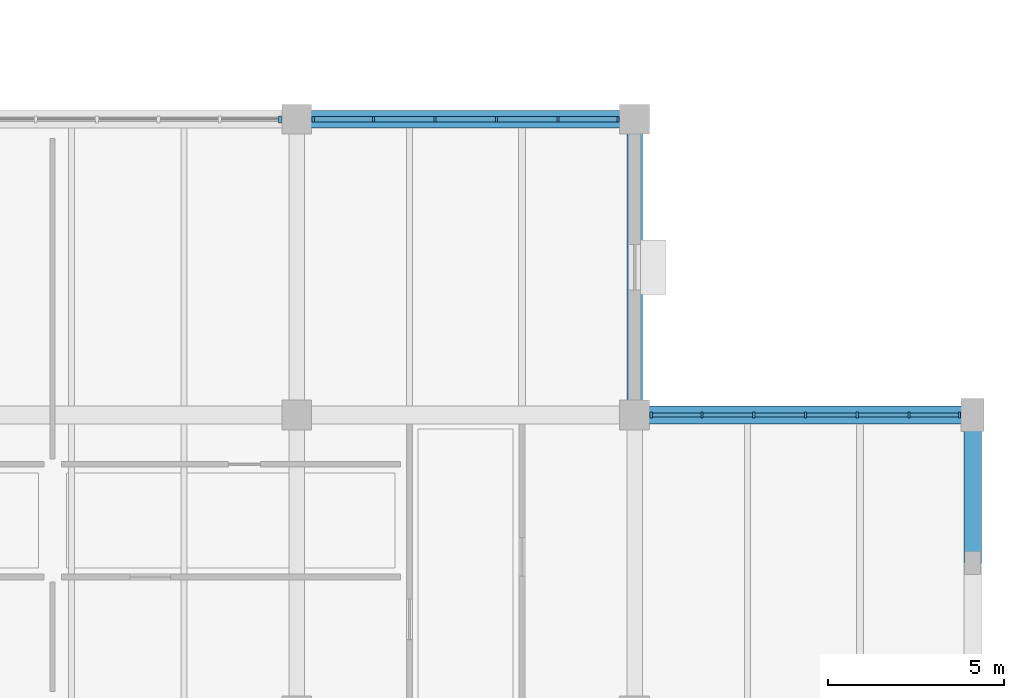
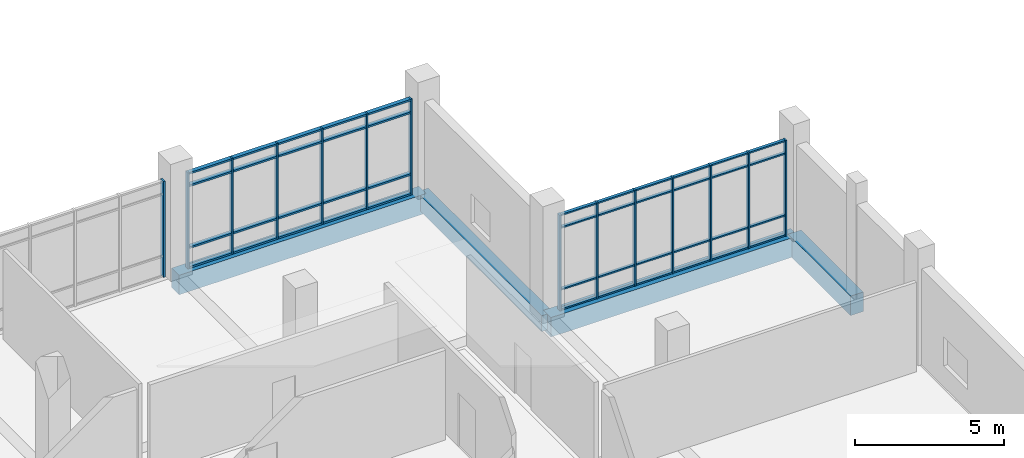
# One storey, part 74 of 152: 58 members, 4 beams, 3 elements without a shape of their own.
"""IFC4 building model written with IfcOpenShell, lengths in metres."""

from ifc_helpers import new_model, si_unit, direction, frame, origin, origin_2d, place, context, subcontext, project, spatial, rectangle, extrude, material, material_profile, profile_set, type_object, element, aggregate, save


model = new_model("IFC4")

# Units and contexts
model_context = context("Model", 3, precision=1e-05, world=origin(), true_north=direction((0.0, 1.0)))
body_context = subcontext(model_context, "Body", "Model", "MODEL_VIEW")
ifc_project = project(units=[si_unit("LENGTHUNIT", "METRE"), si_unit("AREAUNIT", "SQUARE_METRE"), si_unit("VOLUMEUNIT", "CUBIC_METRE"), si_unit("PLANEANGLEUNIT", "RADIAN"), si_unit("MASSUNIT", "GRAM", prefix="KILO")], contexts=[model_context])

# Site, building, storey
site_placement = place(None, origin())
site = spatial("IfcSite", under=ifc_project, at=site_placement, CompositionType="ELEMENT")
building_placement = place(site_placement, origin())
building = spatial("IfcBuilding", under=site, at=building_placement, Name="Oolite Switchyard Hospital", CompositionType="ELEMENT")
storey_placement = place(building_placement, frame((0.0, 0.0, 5.10009765625)))
storey = spatial("IfcBuildingStorey", under=building, at=storey_placement, Name="L01", CompositionType="ELEMENT", Elevation=5.10009765625)

# Beams
ifc_material_1 = material(Name="Concrete C40/50", Category="concrete")
ifc_material_profile_1 = material_profile(ifc_material_1, rectangle(XDim=0.449951171875, YDim=0.64990234375, at=origin_2d()), Name="RCB450X650")
ifc_profile_set_1 = profile_set([ifc_material_profile_1], Name="Concrete C40/50")
beam_type_1 = type_object("IfcBeamType", Name="BM-RC450X650", PredefinedType="BEAM", material=ifc_profile_set_1)
beam_1_placement = place(storey_placement, frame((201.60009765625, 67.199951171875, -0.3251953125), z_axis=(0.0, 1.0, 0.0), x_axis=(-1.0, 0.0, 0.0)))
element("IfcBeam", 1, at=beam_1_placement, inside=storey, type_object=beam_type_1, Name="L01 Y-Girder 542", PredefinedType="BEAM", context=body_context, shape_type="SweptSolid", body=[
    extrude(rectangle(XDim=0.449951171875, YDim=0.64990234375, at=origin_2d()), origin(), (0.0, 0.0, 1.0), 8.400146484375),
])
ifc_material_profile_2 = material_profile(ifc_material_1, rectangle(XDim=0.5, YDim=0.800048828125, at=origin_2d()), Name="RCB500X800")
ifc_profile_set_2 = profile_set([ifc_material_profile_2], Name="Concrete C40/50")
beam_type_2 = type_object("IfcBeamType", Name="BM-RC500X800", PredefinedType="BEAM", material=ifc_profile_set_2)
beam_2_placement = place(storey_placement, frame((201.60009765625, 67.199951171875, -0.400146484375), z_axis=(1.0, 0.0, 0.0), x_axis=(0.0, 1.0, 0.0)))
element("IfcBeam", 2, at=beam_2_placement, inside=storey, type_object=beam_type_2, Name="L01 X-Girder 143", PredefinedType="BEAM", context=body_context, shape_type="SweptSolid", body=[
    extrude(rectangle(XDim=0.5, YDim=0.800048828125, at=origin_2d()), origin(), (0.0, 0.0, 1.0), 9.599853515625),
])
beam_3_placement = place(storey_placement, frame((192.0, 75.60009765625, -0.400146484375), z_axis=(1.0, 0.0, 0.0), x_axis=(0.0, 1.0, 0.0)))
element("IfcBeam", 3, at=beam_3_placement, inside=storey, type_object=beam_type_2, Name="L01 X-Girder 162", PredefinedType="BEAM", context=body_context, shape_type="SweptSolid", body=[
    extrude(rectangle(XDim=0.5, YDim=0.800048828125, at=origin_2d()), origin(), (0.0, 0.0, 1.0), 9.60009765625),
])
beam_4_placement = place(storey_placement, frame((211.199951171875, 63.0, -0.400146484375), z_axis=(0.0, 1.0, 0.0), x_axis=(-1.0, 0.0, 0.0)))
element("IfcBeam", 4, at=beam_4_placement, inside=storey, type_object=beam_type_2, Name="L01 Y-Girder 558", PredefinedType="BEAM", context=body_context, shape_type="SweptSolid", body=[
    extrude(rectangle(XDim=0.5, YDim=0.800048828125, at=origin_2d()), origin(), (0.0, 0.0, 1.0), 4.199951171875),
])

# Curtain wall, members
ifc_material_2 = material(Name="Thermally broken aluminum frame with laminated impact glazing", Category="aluminium")
curtain_wall_type = type_object("IfcCurtainWallType", Name="CW-UNIT-96X48", PredefinedType="USERDEFINED", material=ifc_material_2)
curtain_wall_1_placement = place(storey_placement, origin())
curtain_wall_1 = element("IfcCurtainWall", 5, at=curtain_wall_1_placement, inside=storey, type_object=curtain_wall_type, Name="L01 Unitised Curtain Wall 134", ObjectType="UNITISED", PredefinedType="USERDEFINED")
ifc_material_3 = material(Name="Aluminium 6063-T6", Category="aluminium")
ifc_material_profile_3 = material_profile(ifc_material_3, rectangle(XDim=0.159912109375, YDim=0.06005859375, at=origin_2d()), Name="CWM60X160")
ifc_profile_set_3 = profile_set([ifc_material_profile_3], Name="Aluminium 6063-T6")
member_type_1 = type_object("IfcMemberType", Name="CW-MUL-180", PredefinedType="MULLION", material=ifc_profile_set_3)
member_1_placement = place(storey_placement, frame((202.070068359375, 67.199951171875, 0.0), z_axis=(0.0, 0.0, 1.0), x_axis=(0.0, 1.0, 0.0)))
member_1 = element("IfcMember", 6, at=member_1_placement, type_object=member_type_1, Name="CW-02 mullion 1", PredefinedType="MULLION", context=body_context, shape_type="SweptSolid", body=[
    extrude(rectangle(XDim=0.159912109375, YDim=0.06005859375, at=origin_2d()), origin(), (0.0, 0.0, 1.0), 3.93994140625),
])
member_2_placement = place(storey_placement, frame((203.510009765625, 67.199951171875, 0.0), z_axis=(0.0, 0.0, 1.0), x_axis=(0.0, 1.0, 0.0)))
member_2 = element("IfcMember", 7, at=member_2_placement, type_object=member_type_1, Name="CW-02 mullion 2", PredefinedType="MULLION", context=body_context, shape_type="SweptSolid", body=[
    extrude(rectangle(XDim=0.159912109375, YDim=0.06005859375, at=origin_2d()), origin(), (0.0, 0.0, 1.0), 3.93994140625),
])
member_3_placement = place(storey_placement, frame((204.97998046875, 67.199951171875, 0.0), z_axis=(0.0, 0.0, 1.0), x_axis=(0.0, 1.0, 0.0)))
member_3 = element("IfcMember", 8, at=member_3_placement, type_object=member_type_1, Name="CW-02 mullion 3", PredefinedType="MULLION", context=body_context, shape_type="SweptSolid", body=[
    extrude(rectangle(XDim=0.159912109375, YDim=0.06005859375, at=origin_2d()), origin(), (0.0, 0.0, 1.0), 3.93994140625),
])
member_4_placement = place(storey_placement, frame((206.449951171875, 67.199951171875, 0.0), z_axis=(0.0, 0.0, 1.0), x_axis=(0.0, 1.0, 0.0)))
member_4 = element("IfcMember", 9, at=member_4_placement, type_object=member_type_1, Name="CW-02 mullion 4", PredefinedType="MULLION", context=body_context, shape_type="SweptSolid", body=[
    extrude(rectangle(XDim=0.159912109375, YDim=0.06005859375, at=origin_2d()), origin(), (0.0, 0.0, 1.0), 3.93994140625),
])
member_5_placement = place(storey_placement, frame((207.919921875, 67.199951171875, 0.0), z_axis=(0.0, 0.0, 1.0), x_axis=(0.0, 1.0, 0.0)))
member_5 = element("IfcMember", 10, at=member_5_placement, type_object=member_type_1, Name="CW-02 mullion 5", PredefinedType="MULLION", context=body_context, shape_type="SweptSolid", body=[
    extrude(rectangle(XDim=0.159912109375, YDim=0.06005859375, at=origin_2d()), origin(), (0.0, 0.0, 1.0), 3.93994140625),
])
member_6_placement = place(storey_placement, frame((209.389892578125, 67.199951171875, 0.0), z_axis=(0.0, 0.0, 1.0), x_axis=(0.0, 1.0, 0.0)))
member_6 = element("IfcMember", 11, at=member_6_placement, type_object=member_type_1, Name="CW-02 mullion 6", PredefinedType="MULLION", context=body_context, shape_type="SweptSolid", body=[
    extrude(rectangle(XDim=0.159912109375, YDim=0.06005859375, at=origin_2d()), origin(), (0.0, 0.0, 1.0), 3.93994140625),
])
member_7_placement = place(storey_placement, frame((210.830078125, 67.199951171875, 0.0), z_axis=(0.0, 0.0, 1.0), x_axis=(0.0, 1.0, 0.0)))
member_7 = element("IfcMember", 12, at=member_7_placement, type_object=member_type_1, Name="CW-02 mullion 7", PredefinedType="MULLION", context=body_context, shape_type="SweptSolid", body=[
    extrude(rectangle(XDim=0.159912109375, YDim=0.06005859375, at=origin_2d()), origin(), (0.0, 0.0, 1.0), 3.93994140625),
])

curtain_wall_2_placement = place(storey_placement, origin())
curtain_wall_2 = element("IfcCurtainWall", 13, at=curtain_wall_2_placement, inside=storey, type_object=curtain_wall_type, Name="L01 Unitised Curtain Wall 137", ObjectType="UNITISED", PredefinedType="USERDEFINED")
member_8_placement = place(storey_placement, frame((192.469970703125, 75.60009765625, 0.0), z_axis=(0.0, 0.0, 1.0), x_axis=(0.0, 1.0, 0.0)))
member_8 = element("IfcMember", 14, at=member_8_placement, type_object=member_type_1, Name="CW-02 mullion 1", PredefinedType="MULLION", context=body_context, shape_type="SweptSolid", body=[
    extrude(rectangle(XDim=0.159912109375, YDim=0.06005859375, at=origin_2d()), origin(), (0.0, 0.0, 1.0), 3.93994140625),
])
member_9_placement = place(storey_placement, frame((194.18408203125, 75.60009765625, 0.0), z_axis=(0.0, 0.0, 1.0), x_axis=(0.0, 1.0, 0.0)))
member_9 = element("IfcMember", 15, at=member_9_placement, type_object=member_type_1, Name="CW-02 mullion 2", PredefinedType="MULLION", context=body_context, shape_type="SweptSolid", body=[
    extrude(rectangle(XDim=0.159912109375, YDim=0.06005859375, at=origin_2d()), origin(), (0.0, 0.0, 1.0), 3.93994140625),
])
member_10_placement = place(storey_placement, frame((195.927978515625, 75.60009765625, 0.0), z_axis=(0.0, 0.0, 1.0), x_axis=(0.0, 1.0, 0.0)))
member_10 = element("IfcMember", 16, at=member_10_placement, type_object=member_type_1, Name="CW-02 mullion 3", PredefinedType="MULLION", context=body_context, shape_type="SweptSolid", body=[
    extrude(rectangle(XDim=0.159912109375, YDim=0.06005859375, at=origin_2d()), origin(), (0.0, 0.0, 1.0), 3.93994140625),
])
member_11_placement = place(storey_placement, frame((197.672119140625, 75.60009765625, 0.0), z_axis=(0.0, 0.0, 1.0), x_axis=(0.0, 1.0, 0.0)))
member_11 = element("IfcMember", 17, at=member_11_placement, type_object=member_type_1, Name="CW-02 mullion 4", PredefinedType="MULLION", context=body_context, shape_type="SweptSolid", body=[
    extrude(rectangle(XDim=0.159912109375, YDim=0.06005859375, at=origin_2d()), origin(), (0.0, 0.0, 1.0), 3.93994140625),
])
member_12_placement = place(storey_placement, frame((199.416015625, 75.60009765625, 0.0), z_axis=(0.0, 0.0, 1.0), x_axis=(0.0, 1.0, 0.0)))
member_12 = element("IfcMember", 18, at=member_12_placement, type_object=member_type_1, Name="CW-02 mullion 5", PredefinedType="MULLION", context=body_context, shape_type="SweptSolid", body=[
    extrude(rectangle(XDim=0.159912109375, YDim=0.06005859375, at=origin_2d()), origin(), (0.0, 0.0, 1.0), 3.93994140625),
])
member_13_placement = place(storey_placement, frame((201.1298828125, 75.60009765625, 0.0), z_axis=(0.0, 0.0, 1.0), x_axis=(0.0, 1.0, 0.0)))
member_13 = element("IfcMember", 19, at=member_13_placement, type_object=member_type_1, Name="CW-02 mullion 6", PredefinedType="MULLION", context=body_context, shape_type="SweptSolid", body=[
    extrude(rectangle(XDim=0.159912109375, YDim=0.06005859375, at=origin_2d()), origin(), (0.0, 0.0, 1.0), 3.93994140625),
])

# Curtain wall, member
curtain_wall_3_placement = place(storey_placement, origin())
curtain_wall_3 = element("IfcCurtainWall", 20, at=curtain_wall_3_placement, inside=storey, type_object=curtain_wall_type, Name="L01 Unitised Curtain Wall 136", ObjectType="UNITISED", PredefinedType="USERDEFINED")
ifc_material_profile_4 = material_profile(ifc_material_3, rectangle(XDim=0.199951171875, YDim=0.074951171875, at=origin_2d()), Name="CWM75X200")
ifc_profile_set_4 = profile_set([ifc_material_profile_4], Name="Aluminium 6063-T6")
member_type_2 = type_object("IfcMemberType", Name="CW-MUL-260", PredefinedType="MULLION", material=ifc_profile_set_4)
member_14_placement = place(storey_placement, frame((191.5224609375, 75.60009765625, 0.0), z_axis=(0.0, 0.0, 1.0), x_axis=(0.0, 1.0, 0.0)))
member_14 = element("IfcMember", 21, at=member_14_placement, type_object=member_type_2, Name="CW-02 mullion 6", PredefinedType="MULLION", context=body_context, shape_type="SweptSolid", body=[
    extrude(rectangle(XDim=0.199951171875, YDim=0.074951171875, at=origin_2d()), origin(), (0.0, 0.0, 1.0), 3.93994140625),
])
aggregate(curtain_wall_3, [member_14])

# Member
ifc_material_profile_5 = material_profile(ifc_material_3, rectangle(XDim=0.1201171875, YDim=0.06005859375, at=origin_2d()), Name="CWT60X120")
ifc_profile_set_5 = profile_set([ifc_material_profile_5], Name="Aluminium 6063-T6")
member_type_3 = type_object("IfcMemberType", Name="CW-TRN-150", PredefinedType="USERDEFINED", material=ifc_profile_set_5)
member_15_placement = place(storey_placement, frame((202.10009765625, 67.199951171875, 0.02978515625), z_axis=(1.0, 0.0, 0.0), x_axis=(0.0, 1.0, 0.0)))
member_15 = element("IfcMember", 22, at=member_15_placement, type_object=member_type_3, Name="CW-02 transom 1.1", ObjectType="TRANSOM", PredefinedType="USERDEFINED", context=body_context, shape_type="SweptSolid", body=[
    extrude(rectangle(XDim=0.1201171875, YDim=0.06005859375, at=origin_2d()), origin(), (0.0, 0.0, 1.0), 1.3798828125),
])

member_16_placement = place(storey_placement, frame((202.10009765625, 67.199951171875, 0.849853515625), z_axis=(1.0, 0.0, 0.0), x_axis=(0.0, 1.0, 0.0)))
member_16 = element("IfcMember", 23, at=member_16_placement, type_object=member_type_3, Name="CW-02 transom 1.2", ObjectType="TRANSOM", PredefinedType="USERDEFINED", context=body_context, shape_type="SweptSolid", body=[
    extrude(rectangle(XDim=0.1201171875, YDim=0.06005859375, at=origin_2d()), origin(), (0.0, 0.0, 1.0), 1.3798828125),
])

member_17_placement = place(storey_placement, frame((202.10009765625, 67.199951171875, 3.389892578125), z_axis=(1.0, 0.0, 0.0), x_axis=(0.0, 1.0, 0.0)))
member_17 = element("IfcMember", 24, at=member_17_placement, type_object=member_type_3, Name="CW-02 transom 1.3", ObjectType="TRANSOM", PredefinedType="USERDEFINED", context=body_context, shape_type="SweptSolid", body=[
    extrude(rectangle(XDim=0.1201171875, YDim=0.06005859375, at=origin_2d()), origin(), (0.0, 0.0, 1.0), 1.3798828125),
])

member_18_placement = place(storey_placement, frame((202.10009765625, 67.199951171875, 3.909912109375), z_axis=(1.0, 0.0, 0.0), x_axis=(0.0, 1.0, 0.0)))
member_18 = element("IfcMember", 25, at=member_18_placement, type_object=member_type_3, Name="CW-02 transom 1.4", ObjectType="TRANSOM", PredefinedType="USERDEFINED", context=body_context, shape_type="SweptSolid", body=[
    extrude(rectangle(XDim=0.1201171875, YDim=0.06005859375, at=origin_2d()), origin(), (0.0, 0.0, 1.0), 1.3798828125),
])

member_19_placement = place(storey_placement, frame((203.5400390625, 67.199951171875, 0.02978515625), z_axis=(1.0, 0.0, 0.0), x_axis=(0.0, 1.0, 0.0)))
member_19 = element("IfcMember", 26, at=member_19_placement, type_object=member_type_3, Name="CW-02 transom 2.1", ObjectType="TRANSOM", PredefinedType="USERDEFINED", context=body_context, shape_type="SweptSolid", body=[
    extrude(rectangle(XDim=0.1201171875, YDim=0.06005859375, at=origin_2d()), origin(), (0.0, 0.0, 1.0), 1.409912109375),
])

member_20_placement = place(storey_placement, frame((203.5400390625, 67.199951171875, 0.849853515625), z_axis=(1.0, 0.0, 0.0), x_axis=(0.0, 1.0, 0.0)))
member_20 = element("IfcMember", 27, at=member_20_placement, type_object=member_type_3, Name="CW-02 transom 2.2", ObjectType="TRANSOM", PredefinedType="USERDEFINED", context=body_context, shape_type="SweptSolid", body=[
    extrude(rectangle(XDim=0.1201171875, YDim=0.06005859375, at=origin_2d()), origin(), (0.0, 0.0, 1.0), 1.409912109375),
])

member_21_placement = place(storey_placement, frame((203.5400390625, 67.199951171875, 3.389892578125), z_axis=(1.0, 0.0, 0.0), x_axis=(0.0, 1.0, 0.0)))
member_21 = element("IfcMember", 28, at=member_21_placement, type_object=member_type_3, Name="CW-02 transom 2.3", ObjectType="TRANSOM", PredefinedType="USERDEFINED", context=body_context, shape_type="SweptSolid", body=[
    extrude(rectangle(XDim=0.1201171875, YDim=0.06005859375, at=origin_2d()), origin(), (0.0, 0.0, 1.0), 1.409912109375),
])

member_22_placement = place(storey_placement, frame((203.5400390625, 67.199951171875, 3.909912109375), z_axis=(1.0, 0.0, 0.0), x_axis=(0.0, 1.0, 0.0)))
member_22 = element("IfcMember", 29, at=member_22_placement, type_object=member_type_3, Name="CW-02 transom 2.4", ObjectType="TRANSOM", PredefinedType="USERDEFINED", context=body_context, shape_type="SweptSolid", body=[
    extrude(rectangle(XDim=0.1201171875, YDim=0.06005859375, at=origin_2d()), origin(), (0.0, 0.0, 1.0), 1.409912109375),
])

member_23_placement = place(storey_placement, frame((205.010009765625, 67.199951171875, 0.02978515625), z_axis=(1.0, 0.0, 0.0), x_axis=(0.0, 1.0, 0.0)))
member_23 = element("IfcMember", 30, at=member_23_placement, type_object=member_type_3, Name="CW-02 transom 3.1", ObjectType="TRANSOM", PredefinedType="USERDEFINED", context=body_context, shape_type="SweptSolid", body=[
    extrude(rectangle(XDim=0.1201171875, YDim=0.06005859375, at=origin_2d()), origin(), (0.0, 0.0, 1.0), 1.409912109375),
])

member_24_placement = place(storey_placement, frame((205.010009765625, 67.199951171875, 0.849853515625), z_axis=(1.0, 0.0, 0.0), x_axis=(0.0, 1.0, 0.0)))
member_24 = element("IfcMember", 31, at=member_24_placement, type_object=member_type_3, Name="CW-02 transom 3.2", ObjectType="TRANSOM", PredefinedType="USERDEFINED", context=body_context, shape_type="SweptSolid", body=[
    extrude(rectangle(XDim=0.1201171875, YDim=0.06005859375, at=origin_2d()), origin(), (0.0, 0.0, 1.0), 1.409912109375),
])

member_25_placement = place(storey_placement, frame((205.010009765625, 67.199951171875, 3.389892578125), z_axis=(1.0, 0.0, 0.0), x_axis=(0.0, 1.0, 0.0)))
member_25 = element("IfcMember", 32, at=member_25_placement, type_object=member_type_3, Name="CW-02 transom 3.3", ObjectType="TRANSOM", PredefinedType="USERDEFINED", context=body_context, shape_type="SweptSolid", body=[
    extrude(rectangle(XDim=0.1201171875, YDim=0.06005859375, at=origin_2d()), origin(), (0.0, 0.0, 1.0), 1.409912109375),
])

member_26_placement = place(storey_placement, frame((205.010009765625, 67.199951171875, 3.909912109375), z_axis=(1.0, 0.0, 0.0), x_axis=(0.0, 1.0, 0.0)))
member_26 = element("IfcMember", 33, at=member_26_placement, type_object=member_type_3, Name="CW-02 transom 3.4", ObjectType="TRANSOM", PredefinedType="USERDEFINED", context=body_context, shape_type="SweptSolid", body=[
    extrude(rectangle(XDim=0.1201171875, YDim=0.06005859375, at=origin_2d()), origin(), (0.0, 0.0, 1.0), 1.409912109375),
])

member_27_placement = place(storey_placement, frame((206.47998046875, 67.199951171875, 0.02978515625), z_axis=(1.0, 0.0, 0.0), x_axis=(0.0, 1.0, 0.0)))
member_27 = element("IfcMember", 34, at=member_27_placement, type_object=member_type_3, Name="CW-02 transom 4.1", ObjectType="TRANSOM", PredefinedType="USERDEFINED", context=body_context, shape_type="SweptSolid", body=[
    extrude(rectangle(XDim=0.1201171875, YDim=0.06005859375, at=origin_2d()), origin(), (0.0, 0.0, 1.0), 1.409912109375),
])

member_28_placement = place(storey_placement, frame((206.47998046875, 67.199951171875, 0.849853515625), z_axis=(1.0, 0.0, 0.0), x_axis=(0.0, 1.0, 0.0)))
member_28 = element("IfcMember", 35, at=member_28_placement, type_object=member_type_3, Name="CW-02 transom 4.2", ObjectType="TRANSOM", PredefinedType="USERDEFINED", context=body_context, shape_type="SweptSolid", body=[
    extrude(rectangle(XDim=0.1201171875, YDim=0.06005859375, at=origin_2d()), origin(), (0.0, 0.0, 1.0), 1.409912109375),
])

member_29_placement = place(storey_placement, frame((206.47998046875, 67.199951171875, 3.389892578125), z_axis=(1.0, 0.0, 0.0), x_axis=(0.0, 1.0, 0.0)))
member_29 = element("IfcMember", 36, at=member_29_placement, type_object=member_type_3, Name="CW-02 transom 4.3", ObjectType="TRANSOM", PredefinedType="USERDEFINED", context=body_context, shape_type="SweptSolid", body=[
    extrude(rectangle(XDim=0.1201171875, YDim=0.06005859375, at=origin_2d()), origin(), (0.0, 0.0, 1.0), 1.409912109375),
])

member_30_placement = place(storey_placement, frame((206.47998046875, 67.199951171875, 3.909912109375), z_axis=(1.0, 0.0, 0.0), x_axis=(0.0, 1.0, 0.0)))
member_30 = element("IfcMember", 37, at=member_30_placement, type_object=member_type_3, Name="CW-02 transom 4.4", ObjectType="TRANSOM", PredefinedType="USERDEFINED", context=body_context, shape_type="SweptSolid", body=[
    extrude(rectangle(XDim=0.1201171875, YDim=0.06005859375, at=origin_2d()), origin(), (0.0, 0.0, 1.0), 1.409912109375),
])

member_31_placement = place(storey_placement, frame((207.949951171875, 67.199951171875, 0.02978515625), z_axis=(1.0, 0.0, 0.0), x_axis=(0.0, 1.0, 0.0)))
member_31 = element("IfcMember", 38, at=member_31_placement, type_object=member_type_3, Name="CW-02 transom 5.1", ObjectType="TRANSOM", PredefinedType="USERDEFINED", context=body_context, shape_type="SweptSolid", body=[
    extrude(rectangle(XDim=0.1201171875, YDim=0.06005859375, at=origin_2d()), origin(), (0.0, 0.0, 1.0), 1.41015625),
])

member_32_placement = place(storey_placement, frame((207.949951171875, 67.199951171875, 0.849853515625), z_axis=(1.0, 0.0, 0.0), x_axis=(0.0, 1.0, 0.0)))
member_32 = element("IfcMember", 39, at=member_32_placement, type_object=member_type_3, Name="CW-02 transom 5.2", ObjectType="TRANSOM", PredefinedType="USERDEFINED", context=body_context, shape_type="SweptSolid", body=[
    extrude(rectangle(XDim=0.1201171875, YDim=0.06005859375, at=origin_2d()), origin(), (0.0, 0.0, 1.0), 1.41015625),
])

member_33_placement = place(storey_placement, frame((207.949951171875, 67.199951171875, 3.389892578125), z_axis=(1.0, 0.0, 0.0), x_axis=(0.0, 1.0, 0.0)))
member_33 = element("IfcMember", 40, at=member_33_placement, type_object=member_type_3, Name="CW-02 transom 5.3", ObjectType="TRANSOM", PredefinedType="USERDEFINED", context=body_context, shape_type="SweptSolid", body=[
    extrude(rectangle(XDim=0.1201171875, YDim=0.06005859375, at=origin_2d()), origin(), (0.0, 0.0, 1.0), 1.41015625),
])

member_34_placement = place(storey_placement, frame((207.949951171875, 67.199951171875, 3.909912109375), z_axis=(1.0, 0.0, 0.0), x_axis=(0.0, 1.0, 0.0)))
member_34 = element("IfcMember", 41, at=member_34_placement, type_object=member_type_3, Name="CW-02 transom 5.4", ObjectType="TRANSOM", PredefinedType="USERDEFINED", context=body_context, shape_type="SweptSolid", body=[
    extrude(rectangle(XDim=0.1201171875, YDim=0.06005859375, at=origin_2d()), origin(), (0.0, 0.0, 1.0), 1.41015625),
])

member_35_placement = place(storey_placement, frame((209.419921875, 67.199951171875, 0.02978515625), z_axis=(1.0, 0.0, 0.0), x_axis=(0.0, 1.0, 0.0)))
member_35 = element("IfcMember", 42, at=member_35_placement, type_object=member_type_3, Name="CW-02 transom 6.1", ObjectType="TRANSOM", PredefinedType="USERDEFINED", context=body_context, shape_type="SweptSolid", body=[
    extrude(rectangle(XDim=0.1201171875, YDim=0.06005859375, at=origin_2d()), origin(), (0.0, 0.0, 1.0), 1.380126953125),
])

member_36_placement = place(storey_placement, frame((209.419921875, 67.199951171875, 0.849853515625), z_axis=(1.0, 0.0, 0.0), x_axis=(0.0, 1.0, 0.0)))
member_36 = element("IfcMember", 43, at=member_36_placement, type_object=member_type_3, Name="CW-02 transom 6.2", ObjectType="TRANSOM", PredefinedType="USERDEFINED", context=body_context, shape_type="SweptSolid", body=[
    extrude(rectangle(XDim=0.1201171875, YDim=0.06005859375, at=origin_2d()), origin(), (0.0, 0.0, 1.0), 1.380126953125),
])

member_37_placement = place(storey_placement, frame((209.419921875, 67.199951171875, 3.389892578125), z_axis=(1.0, 0.0, 0.0), x_axis=(0.0, 1.0, 0.0)))
member_37 = element("IfcMember", 44, at=member_37_placement, type_object=member_type_3, Name="CW-02 transom 6.3", ObjectType="TRANSOM", PredefinedType="USERDEFINED", context=body_context, shape_type="SweptSolid", body=[
    extrude(rectangle(XDim=0.1201171875, YDim=0.06005859375, at=origin_2d()), origin(), (0.0, 0.0, 1.0), 1.380126953125),
])

member_38_placement = place(storey_placement, frame((209.419921875, 67.199951171875, 3.909912109375), z_axis=(1.0, 0.0, 0.0), x_axis=(0.0, 1.0, 0.0)))
member_38 = element("IfcMember", 45, at=member_38_placement, type_object=member_type_3, Name="CW-02 transom 6.4", ObjectType="TRANSOM", PredefinedType="USERDEFINED", context=body_context, shape_type="SweptSolid", body=[
    extrude(rectangle(XDim=0.1201171875, YDim=0.06005859375, at=origin_2d()), origin(), (0.0, 0.0, 1.0), 1.380126953125),
])

aggregate(curtain_wall_1, [member_1, member_2, member_3, member_4, member_5, member_6, member_7, member_15, member_16, member_17, member_18, member_19, member_20, member_21, member_22, member_23, member_24, member_25, member_26, member_27, member_28, member_29, member_30, member_31, member_32, member_33, member_34, member_35, member_36, member_37, member_38])

ifc_material_profile_6 = material_profile(ifc_material_3, rectangle(XDim=0.159912109375, YDim=0.074951171875, at=origin_2d()), Name="CWT75X160")
ifc_profile_set_6 = profile_set([ifc_material_profile_6], Name="Aluminium 6063-T6")
member_type_4 = type_object("IfcMemberType", Name="CW-TRN-180", PredefinedType="USERDEFINED", material=ifc_profile_set_6)
member_39_placement = place(storey_placement, frame((192.5, 75.60009765625, 0.037353515625), z_axis=(1.0, 0.0, 0.0), x_axis=(0.0, 1.0, 0.0)))
member_39 = element("IfcMember", 46, at=member_39_placement, type_object=member_type_4, Name="CW-02 transom 1.1", ObjectType="TRANSOM", PredefinedType="USERDEFINED", context=body_context, shape_type="SweptSolid", body=[
    extrude(rectangle(XDim=0.159912109375, YDim=0.074951171875, at=origin_2d()), origin(), (0.0, 0.0, 1.0), 1.654052734375),
])

member_40_placement = place(storey_placement, frame((192.5, 75.60009765625, 0.849853515625), z_axis=(1.0, 0.0, 0.0), x_axis=(0.0, 1.0, 0.0)))
member_40 = element("IfcMember", 47, at=member_40_placement, type_object=member_type_4, Name="CW-02 transom 1.2", ObjectType="TRANSOM", PredefinedType="USERDEFINED", context=body_context, shape_type="SweptSolid", body=[
    extrude(rectangle(XDim=0.159912109375, YDim=0.074951171875, at=origin_2d()), origin(), (0.0, 0.0, 1.0), 1.654052734375),
])

member_41_placement = place(storey_placement, frame((192.5, 75.60009765625, 3.389892578125), z_axis=(1.0, 0.0, 0.0), x_axis=(0.0, 1.0, 0.0)))
member_41 = element("IfcMember", 48, at=member_41_placement, type_object=member_type_4, Name="CW-02 transom 1.3", ObjectType="TRANSOM", PredefinedType="USERDEFINED", context=body_context, shape_type="SweptSolid", body=[
    extrude(rectangle(XDim=0.159912109375, YDim=0.074951171875, at=origin_2d()), origin(), (0.0, 0.0, 1.0), 1.654052734375),
])

member_42_placement = place(storey_placement, frame((192.5, 75.60009765625, 3.90234375), z_axis=(1.0, 0.0, 0.0), x_axis=(0.0, 1.0, 0.0)))
member_42 = element("IfcMember", 49, at=member_42_placement, type_object=member_type_4, Name="CW-02 transom 1.4", ObjectType="TRANSOM", PredefinedType="USERDEFINED", context=body_context, shape_type="SweptSolid", body=[
    extrude(rectangle(XDim=0.159912109375, YDim=0.074951171875, at=origin_2d()), origin(), (0.0, 0.0, 1.0), 1.654052734375),
])

member_43_placement = place(storey_placement, frame((194.214111328125, 75.60009765625, 0.037353515625), z_axis=(1.0, 0.0, 0.0), x_axis=(0.0, 1.0, 0.0)))
member_43 = element("IfcMember", 50, at=member_43_placement, type_object=member_type_4, Name="CW-02 transom 2.1", ObjectType="TRANSOM", PredefinedType="USERDEFINED", context=body_context, shape_type="SweptSolid", body=[
    extrude(rectangle(XDim=0.159912109375, YDim=0.074951171875, at=origin_2d()), origin(), (0.0, 0.0, 1.0), 1.683837890625),
])

member_44_placement = place(storey_placement, frame((194.214111328125, 75.60009765625, 0.849853515625), z_axis=(1.0, 0.0, 0.0), x_axis=(0.0, 1.0, 0.0)))
member_44 = element("IfcMember", 51, at=member_44_placement, type_object=member_type_4, Name="CW-02 transom 2.2", ObjectType="TRANSOM", PredefinedType="USERDEFINED", context=body_context, shape_type="SweptSolid", body=[
    extrude(rectangle(XDim=0.159912109375, YDim=0.074951171875, at=origin_2d()), origin(), (0.0, 0.0, 1.0), 1.683837890625),
])

member_45_placement = place(storey_placement, frame((194.214111328125, 75.60009765625, 3.389892578125), z_axis=(1.0, 0.0, 0.0), x_axis=(0.0, 1.0, 0.0)))
member_45 = element("IfcMember", 52, at=member_45_placement, type_object=member_type_4, Name="CW-02 transom 2.3", ObjectType="TRANSOM", PredefinedType="USERDEFINED", context=body_context, shape_type="SweptSolid", body=[
    extrude(rectangle(XDim=0.159912109375, YDim=0.074951171875, at=origin_2d()), origin(), (0.0, 0.0, 1.0), 1.683837890625),
])

member_46_placement = place(storey_placement, frame((194.214111328125, 75.60009765625, 3.90234375), z_axis=(1.0, 0.0, 0.0), x_axis=(0.0, 1.0, 0.0)))
member_46 = element("IfcMember", 53, at=member_46_placement, type_object=member_type_4, Name="CW-02 transom 2.4", ObjectType="TRANSOM", PredefinedType="USERDEFINED", context=body_context, shape_type="SweptSolid", body=[
    extrude(rectangle(XDim=0.159912109375, YDim=0.074951171875, at=origin_2d()), origin(), (0.0, 0.0, 1.0), 1.683837890625),
])

member_47_placement = place(storey_placement, frame((195.9580078125, 75.60009765625, 0.037353515625), z_axis=(1.0, 0.0, 0.0), x_axis=(0.0, 1.0, 0.0)))
member_47 = element("IfcMember", 54, at=member_47_placement, type_object=member_type_4, Name="CW-02 transom 3.1", ObjectType="TRANSOM", PredefinedType="USERDEFINED", context=body_context, shape_type="SweptSolid", body=[
    extrude(rectangle(XDim=0.159912109375, YDim=0.074951171875, at=origin_2d()), origin(), (0.0, 0.0, 1.0), 1.68408203125),
])

member_48_placement = place(storey_placement, frame((195.9580078125, 75.60009765625, 0.849853515625), z_axis=(1.0, 0.0, 0.0), x_axis=(0.0, 1.0, 0.0)))
member_48 = element("IfcMember", 55, at=member_48_placement, type_object=member_type_4, Name="CW-02 transom 3.2", ObjectType="TRANSOM", PredefinedType="USERDEFINED", context=body_context, shape_type="SweptSolid", body=[
    extrude(rectangle(XDim=0.159912109375, YDim=0.074951171875, at=origin_2d()), origin(), (0.0, 0.0, 1.0), 1.68408203125),
])

member_49_placement = place(storey_placement, frame((195.9580078125, 75.60009765625, 3.389892578125), z_axis=(1.0, 0.0, 0.0), x_axis=(0.0, 1.0, 0.0)))
member_49 = element("IfcMember", 56, at=member_49_placement, type_object=member_type_4, Name="CW-02 transom 3.3", ObjectType="TRANSOM", PredefinedType="USERDEFINED", context=body_context, shape_type="SweptSolid", body=[
    extrude(rectangle(XDim=0.159912109375, YDim=0.074951171875, at=origin_2d()), origin(), (0.0, 0.0, 1.0), 1.68408203125),
])

member_50_placement = place(storey_placement, frame((195.9580078125, 75.60009765625, 3.90234375), z_axis=(1.0, 0.0, 0.0), x_axis=(0.0, 1.0, 0.0)))
member_50 = element("IfcMember", 57, at=member_50_placement, type_object=member_type_4, Name="CW-02 transom 3.4", ObjectType="TRANSOM", PredefinedType="USERDEFINED", context=body_context, shape_type="SweptSolid", body=[
    extrude(rectangle(XDim=0.159912109375, YDim=0.074951171875, at=origin_2d()), origin(), (0.0, 0.0, 1.0), 1.68408203125),
])

member_51_placement = place(storey_placement, frame((197.701904296875, 75.60009765625, 0.037353515625), z_axis=(1.0, 0.0, 0.0), x_axis=(0.0, 1.0, 0.0)))
member_51 = element("IfcMember", 58, at=member_51_placement, type_object=member_type_4, Name="CW-02 transom 4.1", ObjectType="TRANSOM", PredefinedType="USERDEFINED", context=body_context, shape_type="SweptSolid", body=[
    extrude(rectangle(XDim=0.159912109375, YDim=0.074951171875, at=origin_2d()), origin(), (0.0, 0.0, 1.0), 1.68408203125),
])

member_52_placement = place(storey_placement, frame((197.701904296875, 75.60009765625, 0.849853515625), z_axis=(1.0, 0.0, 0.0), x_axis=(0.0, 1.0, 0.0)))
member_52 = element("IfcMember", 59, at=member_52_placement, type_object=member_type_4, Name="CW-02 transom 4.2", ObjectType="TRANSOM", PredefinedType="USERDEFINED", context=body_context, shape_type="SweptSolid", body=[
    extrude(rectangle(XDim=0.159912109375, YDim=0.074951171875, at=origin_2d()), origin(), (0.0, 0.0, 1.0), 1.68408203125),
])

member_53_placement = place(storey_placement, frame((197.701904296875, 75.60009765625, 3.389892578125), z_axis=(1.0, 0.0, 0.0), x_axis=(0.0, 1.0, 0.0)))
member_53 = element("IfcMember", 60, at=member_53_placement, type_object=member_type_4, Name="CW-02 transom 4.3", ObjectType="TRANSOM", PredefinedType="USERDEFINED", context=body_context, shape_type="SweptSolid", body=[
    extrude(rectangle(XDim=0.159912109375, YDim=0.074951171875, at=origin_2d()), origin(), (0.0, 0.0, 1.0), 1.68408203125),
])

member_54_placement = place(storey_placement, frame((197.701904296875, 75.60009765625, 3.90234375), z_axis=(1.0, 0.0, 0.0), x_axis=(0.0, 1.0, 0.0)))
member_54 = element("IfcMember", 61, at=member_54_placement, type_object=member_type_4, Name="CW-02 transom 4.4", ObjectType="TRANSOM", PredefinedType="USERDEFINED", context=body_context, shape_type="SweptSolid", body=[
    extrude(rectangle(XDim=0.159912109375, YDim=0.074951171875, at=origin_2d()), origin(), (0.0, 0.0, 1.0), 1.68408203125),
])

member_55_placement = place(storey_placement, frame((199.446044921875, 75.60009765625, 0.037353515625), z_axis=(1.0, 0.0, 0.0), x_axis=(0.0, 1.0, 0.0)))
member_55 = element("IfcMember", 62, at=member_55_placement, type_object=member_type_4, Name="CW-02 transom 5.1", ObjectType="TRANSOM", PredefinedType="USERDEFINED", context=body_context, shape_type="SweptSolid", body=[
    extrude(rectangle(XDim=0.159912109375, YDim=0.074951171875, at=origin_2d()), origin(), (0.0, 0.0, 1.0), 1.654052734375),
])

member_56_placement = place(storey_placement, frame((199.446044921875, 75.60009765625, 0.849853515625), z_axis=(1.0, 0.0, 0.0), x_axis=(0.0, 1.0, 0.0)))
member_56 = element("IfcMember", 63, at=member_56_placement, type_object=member_type_4, Name="CW-02 transom 5.2", ObjectType="TRANSOM", PredefinedType="USERDEFINED", context=body_context, shape_type="SweptSolid", body=[
    extrude(rectangle(XDim=0.159912109375, YDim=0.074951171875, at=origin_2d()), origin(), (0.0, 0.0, 1.0), 1.654052734375),
])

member_57_placement = place(storey_placement, frame((199.446044921875, 75.60009765625, 3.389892578125), z_axis=(1.0, 0.0, 0.0), x_axis=(0.0, 1.0, 0.0)))
member_57 = element("IfcMember", 64, at=member_57_placement, type_object=member_type_4, Name="CW-02 transom 5.3", ObjectType="TRANSOM", PredefinedType="USERDEFINED", context=body_context, shape_type="SweptSolid", body=[
    extrude(rectangle(XDim=0.159912109375, YDim=0.074951171875, at=origin_2d()), origin(), (0.0, 0.0, 1.0), 1.654052734375),
])

member_58_placement = place(storey_placement, frame((199.446044921875, 75.60009765625, 3.90234375), z_axis=(1.0, 0.0, 0.0), x_axis=(0.0, 1.0, 0.0)))
member_58 = element("IfcMember", 65, at=member_58_placement, type_object=member_type_4, Name="CW-02 transom 5.4", ObjectType="TRANSOM", PredefinedType="USERDEFINED", context=body_context, shape_type="SweptSolid", body=[
    extrude(rectangle(XDim=0.159912109375, YDim=0.074951171875, at=origin_2d()), origin(), (0.0, 0.0, 1.0), 1.654052734375),
])

aggregate(curtain_wall_2, [member_8, member_9, member_10, member_11, member_12, member_13, member_39, member_40, member_41, member_42, member_43, member_44, member_45, member_46, member_47, member_48, member_49, member_50, member_51, member_52, member_53, member_54, member_55, member_56, member_57, member_58])

save(model, "model.ifc")
